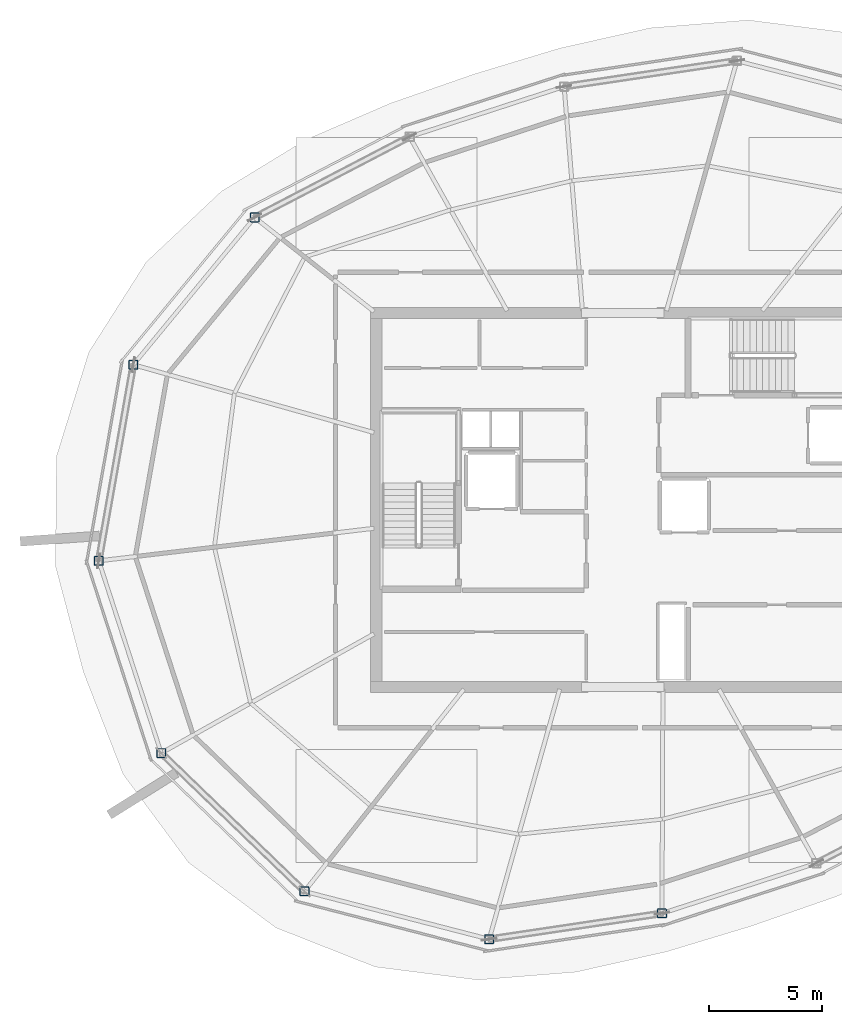
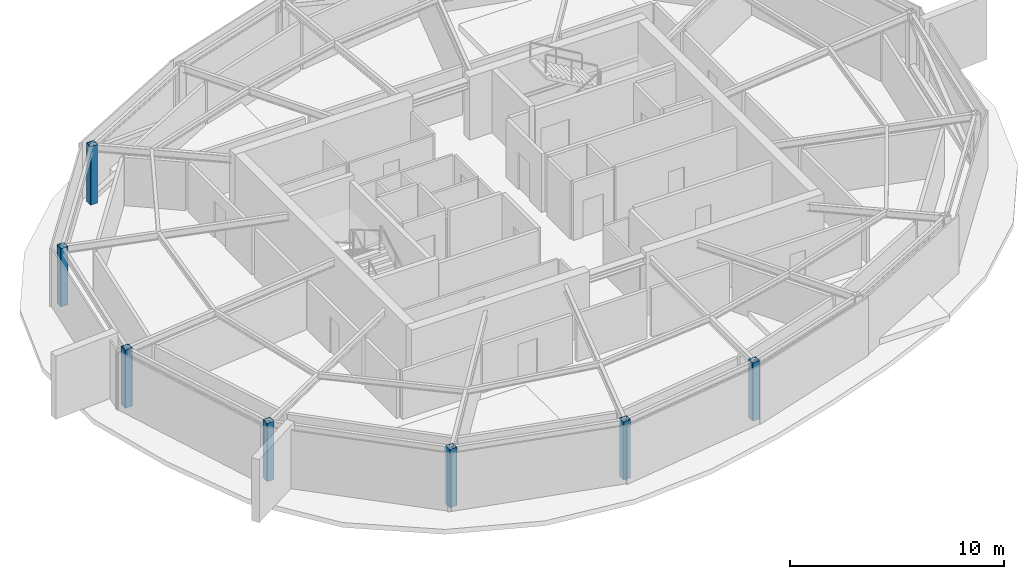
# One storey, part 1 of 10: 7 columns.
"""IFC4 building model written with IfcOpenShell, lengths in metres."""

from ifc_helpers import new_model, si_unit, direction, frame, origin, origin_2d, place, context, subcontext, project, spatial, hollow_rectangle, extrude, material, material_profile, profile_set, type_object, element, save


model = new_model("IFC4")

# Units and contexts
model_context = context("Model", 3, precision=1e-05, world=origin(), true_north=direction((0.0, 1.0)))
body_context = subcontext(model_context, "Body", "Model", "MODEL_VIEW")
ifc_project = project(units=[si_unit("LENGTHUNIT", "METRE"), si_unit("AREAUNIT", "SQUARE_METRE"), si_unit("VOLUMEUNIT", "CUBIC_METRE"), si_unit("PLANEANGLEUNIT", "RADIAN"), si_unit("MASSUNIT", "GRAM", prefix="KILO")], contexts=[model_context])

# Site, building, storey
site_placement = place(None, origin())
site = spatial("IfcSite", under=ifc_project, at=site_placement, CompositionType="ELEMENT")
building_placement = place(site_placement, origin())
building = spatial("IfcBuilding", under=site, at=building_placement, Name="Kazma Halo Residences", CompositionType="ELEMENT")
storey_placement = place(building_placement, frame((0.0, 0.0, 366.800048828125)))
storey = spatial("IfcBuildingStorey", under=building, at=storey_placement, Name="L92", CompositionType="ELEMENT", Elevation=366.800048828125)

# Columns
ifc_material = material(Name="Steel S355", Category="steel")
ifc_material_profile = material_profile(ifc_material, hollow_rectangle(XDim=0.39990234375, YDim=0.39990234375, WallThickness=0.02001953125, InnerFilletRadius=0.02001953125, OuterFilletRadius=0.0400390625, at=origin_2d()), Name="SHS400x400x20")
ifc_profile_set = profile_set([ifc_material_profile], Name="Steel S355")
column_type = type_object("IfcColumnType", Name="COL-CROWN-SHS400", PredefinedType="COLUMN", material=ifc_profile_set)
for number, where, z_axis, x_axis, name in (
    (1, (32.184814453125, 54.467529296875, 0.0), (0.0, 0.0, 1.0), (1.0, 0.0, 0.0), "L92 CROWN FRAME perimeter column P06"),
    (2, (26.830078125, 47.970458984375, 0.0), (0.0, 0.0, 1.0), (1.0, 0.0, 0.0), "L92 CROWN FRAME perimeter column P07"),
    (3, (25.3037109375, 39.313720703125, 0.0), (0.0, 0.0, 1.0), (1.0, 0.0, 0.0), "L92 CROWN FRAME perimeter column P08"),
    (4, (28.059326171875, 30.832763671875, 0.0), (0.0, 0.0, 1.0), (1.0, 0.0, 0.0), "L92 CROWN FRAME perimeter column P09"),
    (5, (34.382568359375, 24.726318359375, 0.0), (0.0, 0.0, 1.0), (1.0, 0.0, 0.0), "L92 CROWN FRAME perimeter column P10"),
    (6, (42.53369140625, 22.61767578125, 0.0), (0.0, 0.0, 1.0), (1.0, 0.0, 0.0), "L92 CROWN FRAME perimeter column P11"),
    (7, (50.1591796875, 23.75634765625, 0.0), (0.0, 0.0, 1.0), (1.0, 0.0, 0.0), "L92 CROWN FRAME perimeter column P12"),
):
    element("IfcColumn", number, at=place(storey_placement, frame(where, z_axis=z_axis, x_axis=x_axis)), inside=storey, type_object=column_type, Name=name, PredefinedType="COLUMN", context=body_context, shape_type="SweptSolid", body=[
        extrude(hollow_rectangle(XDim=0.39990234375, YDim=0.39990234375, WallThickness=0.02001953125, InnerFilletRadius=0.02001953125, OuterFilletRadius=0.0400390625, at=origin_2d()), origin(), (0.0, 0.0, 1.0), 3.320068359375),
    ])

save(model, "model.ifc")
